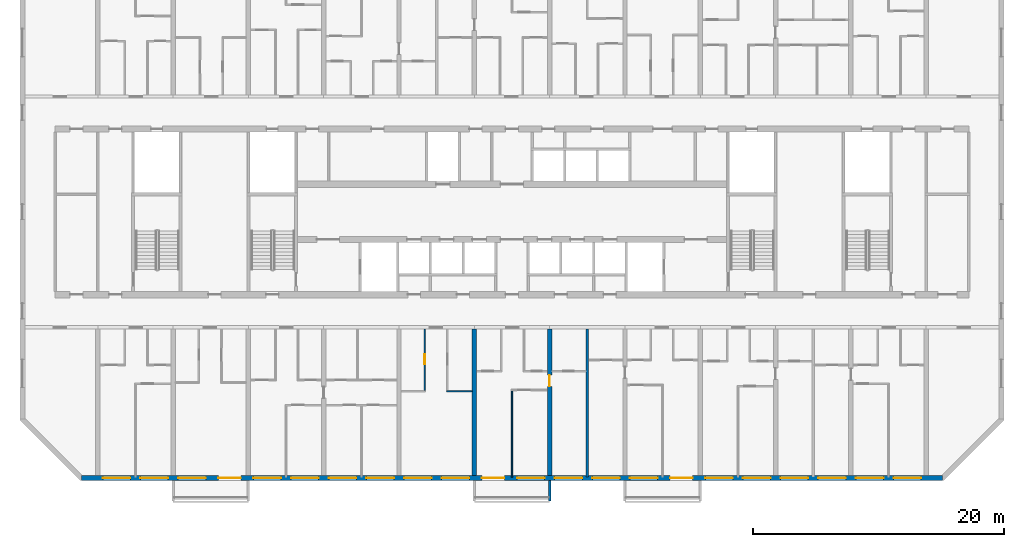
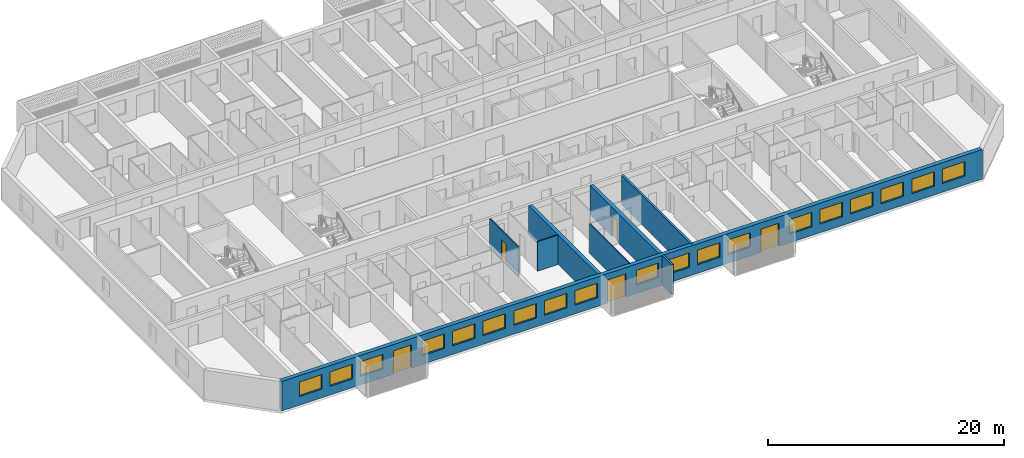
# One storey, part 4 of 24: 19 windows, 8 walls, 5 doors, 24 openings.
"""IFC4 building model written with IfcOpenShell, lengths in metres."""

from ifc_helpers import new_model, si_unit, direction, frame, frame_2d, origin, place, context, subcontext, project, spatial, polyline, rectangle, outline, extrude, source, transform, mapped, material, layer, layer_set, type_object, element, fill, save


model = new_model("IFC4")

# Units and contexts
model_context = context("Model", 3, precision=1e-05, world=origin(), true_north=direction((0.0, 1.0)))
body_context = subcontext(model_context, "Body", "Model", "MODEL_VIEW")
ifc_project = project(units=[si_unit("LENGTHUNIT", "METRE"), si_unit("AREAUNIT", "SQUARE_METRE"), si_unit("VOLUMEUNIT", "CUBIC_METRE"), si_unit("PLANEANGLEUNIT", "RADIAN"), si_unit("MASSUNIT", "GRAM", prefix="KILO")], contexts=[model_context])

# Site, building, storey
site_placement = place(None, origin())
site = spatial("IfcSite", under=ifc_project, at=site_placement, CompositionType="ELEMENT")
building_placement = place(site_placement, origin())
building = spatial("IfcBuilding", under=site, at=building_placement, Name="Poui Terraces", CompositionType="ELEMENT")
storey_placement = place(building_placement, frame((0.0, 0.0, 109.199951171875)))
storey = spatial("IfcBuildingStorey", under=building, at=storey_placement, Name="L30", CompositionType="ELEMENT", Elevation=109.199951171875)

# Wall
ifc_material_1 = material(Name="Concrete 65 MPa", Category="concrete")
ifc_layer_1 = layer(ifc_material_1, 0.35009765625)
ifc_layer_set_1 = layer_set([ifc_layer_1], Name="Concrete 65 MPa")
wall_type_1 = type_object("IfcWallType", Name="CROSS WALL 350 65MPa", PredefinedType="SHEAR", material=ifc_layer_set_1)
wall_1_placement = place(storey_placement, frame((48.0, 0.199951171875, 0.0), z_axis=(0.0, 0.0, 1.0), x_axis=(0.0, 1.0, 0.0)))
element("IfcWall", 1, at=wall_1_placement, inside=storey, type_object=wall_type_1, Name="CROSS WALL LINE 9 SOUTH", PredefinedType="SHEAR", context=body_context, shape_type="SweptSolid", body=[
    extrude(rectangle(XDim=11.675048828125, YDim=0.35009765625, at=frame_2d((5.83740234375, 0.0))), origin(), (0.0, 0.0, 1.0), 3.06005859375),
])

# Wall, opening, door
wall_2_placement = place(storey_placement, frame((54.0, 0.199951171875, 0.0), z_axis=(0.0, 0.0, 1.0), x_axis=(0.0, 1.0, 0.0)))
wall_2 = element("IfcWall", 2, at=wall_2_placement, inside=storey, type_object=wall_type_1, Name="CROSS WALL LINE 10 SOUTH", PredefinedType="SHEAR", context=body_context, shape_type="SweptSolid", body=[
    extrude(rectangle(XDim=11.675048828125, YDim=0.35009765625, at=frame_2d((5.83740234375, 0.0))), origin(), (0.0, 0.0, 1.0), 3.06005859375),
])
opening_1_placement = place(wall_2_placement, frame((7.10009765625, 0.0, 0.0)))
opening_1 = element("IfcOpeningElement", 3, at=opening_1_placement, cuts=wall_2, Name="Opening D90", PredefinedType="OPENING", context=body_context, shape_type="SweptSolid", body=[
    extrude(rectangle(XDim=0.89990234375, YDim=2.10009765625, at=frame_2d((0.449951171875, 1.050048828125))), frame((0.0, 0.18505859375, 0.0), z_axis=(0.0, -1.0, 0.0), x_axis=(1.0, 0.0, 0.0)), (0.0, 0.0, 1.0), 0.3701171875),
])
ifc_material_2 = material(Name="Solid core timber door", Category="wood")
door_type_1 = type_object("IfcDoorType", Name="INTERNAL DOOR 900 X 2100", OperationType="NOTDEFINED", PredefinedType="DOOR", material=ifc_material_2)
door_1_placement = place(opening_1_placement, frame((0.89990234375, 0.0, 0.0), z_axis=(0.0, 0.0, 1.0), x_axis=(-1.0, 0.0, 0.0)))
door_1 = element("IfcDoor", 4, at=door_1_placement, inside=storey, type_object=door_type_1, Name="INTERNAL DOOR 100", OperationType="SINGLE_SWING_LEFT", OverallHeight=2.10009765625, OverallWidth=0.89990234375, PredefinedType="DOOR", context=body_context, shape_type="SweptSolid", body=[
    extrude(rectangle(XDim=0.89990234375, YDim=2.10009765625, at=frame_2d((0.449951171875, 1.050048828125))), frame((0.0, 0.02490234375, 0.0), z_axis=(0.0, -1.0, 0.0), x_axis=(1.0, 0.0, 0.0)), (0.0, 0.0, 1.0), 0.050048828125),
])
fill(opening_1, door_1)

# Wall, openings, doors, windows
ifc_material_3 = material(Name="Precast concrete 40 MPa", Category="concrete")
ifc_layer_2 = layer(ifc_material_3, 0.39990234375)
ifc_layer_set_2 = layer_set([ifc_layer_2], Name="Precast concrete 40 MPa")
wall_type_2 = type_object("IfcWallType", Name="EXTERNAL WALL 400", PredefinedType="STANDARD", material=ifc_layer_set_2)
wall_3_placement = place(storey_placement, frame((16.682861328125, 0.0, 0.0), z_axis=(0.0, 0.0, 1.0), x_axis=(1.0, 0.0, 0.0)))
wall_3 = element("IfcWall", 5, at=wall_3_placement, inside=storey, type_object=wall_type_2, Name="EXTERNAL WALL S", PredefinedType="STANDARD", context=body_context, shape_type="SweptSolid", body=[
    extrude(rectangle(XDim=68.63427734375, YDim=0.39990234375, at=frame_2d((34.317138671875, 0.0))), origin(), (0.0, 0.0, 1.0), 3.06005859375),
])
opening_2_placement = place(wall_3_placement, frame((1.71728515625, 0.0, 0.89990234375)))
opening_2 = element("IfcOpeningElement", 6, at=opening_2_placement, cuts=wall_3, Name="Opening W1", PredefinedType="OPENING", context=body_context, shape_type="SweptSolid", body=[
    extrude(rectangle(XDim=2.199951171875, YDim=1.5, at=frame_2d((1.10009765625, 0.75))), frame((0.0, 0.2099609375, 0.0), z_axis=(0.0, -1.0, 0.0), x_axis=(1.0, 0.0, 0.0)), (0.0, 0.0, 1.0), 0.419921875),
])
opening_3_placement = place(wall_3_placement, frame((4.71728515625, 0.0, 0.89990234375)))
opening_3 = element("IfcOpeningElement", 7, at=opening_3_placement, cuts=wall_3, Name="Opening W1", PredefinedType="OPENING", context=body_context, shape_type="SweptSolid", body=[
    extrude(rectangle(XDim=2.199951171875, YDim=1.5, at=frame_2d((1.10009765625, 0.75))), frame((0.0, 0.2099609375, 0.0), z_axis=(0.0, -1.0, 0.0), x_axis=(1.0, 0.0, 0.0)), (0.0, 0.0, 1.0), 0.419921875),
])
opening_4_placement = place(wall_3_placement, frame((7.71728515625, 0.0, 0.89990234375)))
opening_4 = element("IfcOpeningElement", 8, at=opening_4_placement, cuts=wall_3, Name="Opening W1", PredefinedType="OPENING", context=body_context, shape_type="SweptSolid", body=[
    extrude(rectangle(XDim=2.199951171875, YDim=1.5, at=frame_2d((1.10009765625, 0.75))), frame((0.0, 0.2099609375, 0.0), z_axis=(0.0, -1.0, 0.0), x_axis=(1.0, 0.0, 0.0)), (0.0, 0.0, 1.0), 0.419921875),
])
opening_5_placement = place(wall_3_placement, frame((10.917236328125, 0.0, 0.0)))
opening_5 = element("IfcOpeningElement", 9, at=opening_5_placement, cuts=wall_3, Name="Opening BD1", PredefinedType="OPENING", context=body_context, shape_type="SweptSolid", body=[
    extrude(rectangle(XDim=1.800048828125, YDim=2.39990234375, at=frame_2d((0.89990234375, 1.199951171875))), frame((0.0, 0.2099609375, 0.0), z_axis=(0.0, -1.0, 0.0), x_axis=(1.0, 0.0, 0.0)), (0.0, 0.0, 1.0), 0.419921875),
])
opening_6_placement = place(wall_3_placement, frame((13.71728515625, 0.0, 0.89990234375)))
opening_6 = element("IfcOpeningElement", 10, at=opening_6_placement, cuts=wall_3, Name="Opening W1", PredefinedType="OPENING", context=body_context, shape_type="SweptSolid", body=[
    extrude(rectangle(XDim=2.199951171875, YDim=1.5, at=frame_2d((1.10009765625, 0.75))), frame((0.0, 0.2099609375, 0.0), z_axis=(0.0, -1.0, 0.0), x_axis=(1.0, 0.0, 0.0)), (0.0, 0.0, 1.0), 0.419921875),
])
opening_7_placement = place(wall_3_placement, frame((16.71728515625, 0.0, 0.89990234375)))
opening_7 = element("IfcOpeningElement", 11, at=opening_7_placement, cuts=wall_3, Name="Opening W1", PredefinedType="OPENING", context=body_context, shape_type="SweptSolid", body=[
    extrude(rectangle(XDim=2.199951171875, YDim=1.5, at=frame_2d((1.10009765625, 0.75))), frame((0.0, 0.2099609375, 0.0), z_axis=(0.0, -1.0, 0.0), x_axis=(1.0, 0.0, 0.0)), (0.0, 0.0, 1.0), 0.419921875),
])
opening_8_placement = place(wall_3_placement, frame((19.71728515625, 0.0, 0.89990234375)))
opening_8 = element("IfcOpeningElement", 12, at=opening_8_placement, cuts=wall_3, Name="Opening W1", PredefinedType="OPENING", context=body_context, shape_type="SweptSolid", body=[
    extrude(rectangle(XDim=2.199951171875, YDim=1.5, at=frame_2d((1.10009765625, 0.75))), frame((0.0, 0.2099609375, 0.0), z_axis=(0.0, -1.0, 0.0), x_axis=(1.0, 0.0, 0.0)), (0.0, 0.0, 1.0), 0.419921875),
])
opening_9_placement = place(wall_3_placement, frame((22.71728515625, 0.0, 0.89990234375)))
opening_9 = element("IfcOpeningElement", 13, at=opening_9_placement, cuts=wall_3, Name="Opening W1", PredefinedType="OPENING", context=body_context, shape_type="SweptSolid", body=[
    extrude(rectangle(XDim=2.199951171875, YDim=1.5, at=frame_2d((1.10009765625, 0.75))), frame((0.0, 0.2099609375, 0.0), z_axis=(0.0, -1.0, 0.0), x_axis=(1.0, 0.0, 0.0)), (0.0, 0.0, 1.0), 0.419921875),
])
opening_10_placement = place(wall_3_placement, frame((25.71728515625, 0.0, 0.89990234375)))
opening_10 = element("IfcOpeningElement", 14, at=opening_10_placement, cuts=wall_3, Name="Opening W1", PredefinedType="OPENING", context=body_context, shape_type="SweptSolid", body=[
    extrude(rectangle(XDim=2.199951171875, YDim=1.5, at=frame_2d((1.10009765625, 0.75))), frame((0.0, 0.2099609375, 0.0), z_axis=(0.0, -1.0, 0.0), x_axis=(1.0, 0.0, 0.0)), (0.0, 0.0, 1.0), 0.419921875),
])
opening_11_placement = place(wall_3_placement, frame((28.71728515625, 0.0, 0.89990234375)))
opening_11 = element("IfcOpeningElement", 15, at=opening_11_placement, cuts=wall_3, Name="Opening W1", PredefinedType="OPENING", context=body_context, shape_type="SweptSolid", body=[
    extrude(rectangle(XDim=2.199951171875, YDim=1.5, at=frame_2d((1.10009765625, 0.75))), frame((0.0, 0.2099609375, 0.0), z_axis=(0.0, -1.0, 0.0), x_axis=(1.0, 0.0, 0.0)), (0.0, 0.0, 1.0), 0.419921875),
])
opening_12_placement = place(wall_3_placement, frame((31.917236328125, 0.0, 0.0)))
opening_12 = element("IfcOpeningElement", 16, at=opening_12_placement, cuts=wall_3, Name="Opening BD1", PredefinedType="OPENING", context=body_context, shape_type="SweptSolid", body=[
    extrude(rectangle(XDim=1.800048828125, YDim=2.39990234375, at=frame_2d((0.89990234375, 1.199951171875))), frame((0.0, 0.2099609375, 0.0), z_axis=(0.0, -1.0, 0.0), x_axis=(1.0, 0.0, 0.0)), (0.0, 0.0, 1.0), 0.419921875),
])
opening_13_placement = place(wall_3_placement, frame((34.71728515625, 0.0, 0.89990234375)))
opening_13 = element("IfcOpeningElement", 17, at=opening_13_placement, cuts=wall_3, Name="Opening W1", PredefinedType="OPENING", context=body_context, shape_type="SweptSolid", body=[
    extrude(rectangle(XDim=2.199951171875, YDim=1.5, at=frame_2d((1.10009765625, 0.75))), frame((0.0, 0.2099609375, 0.0), z_axis=(0.0, -1.0, 0.0), x_axis=(1.0, 0.0, 0.0)), (0.0, 0.0, 1.0), 0.419921875),
])
opening_14_placement = place(wall_3_placement, frame((37.71728515625, 0.0, 0.89990234375)))
opening_14 = element("IfcOpeningElement", 18, at=opening_14_placement, cuts=wall_3, Name="Opening W1", PredefinedType="OPENING", context=body_context, shape_type="SweptSolid", body=[
    extrude(rectangle(XDim=2.199951171875, YDim=1.5, at=frame_2d((1.10009765625, 0.75))), frame((0.0, 0.2099609375, 0.0), z_axis=(0.0, -1.0, 0.0), x_axis=(1.0, 0.0, 0.0)), (0.0, 0.0, 1.0), 0.419921875),
])
opening_15_placement = place(wall_3_placement, frame((40.71728515625, 0.0, 0.89990234375)))
opening_15 = element("IfcOpeningElement", 19, at=opening_15_placement, cuts=wall_3, Name="Opening W1", PredefinedType="OPENING", context=body_context, shape_type="SweptSolid", body=[
    extrude(rectangle(XDim=2.199951171875, YDim=1.5, at=frame_2d((1.10009765625, 0.75))), frame((0.0, 0.2099609375, 0.0), z_axis=(0.0, -1.0, 0.0), x_axis=(1.0, 0.0, 0.0)), (0.0, 0.0, 1.0), 0.419921875),
])
opening_16_placement = place(wall_3_placement, frame((43.71728515625, 0.0, 0.89990234375)))
opening_16 = element("IfcOpeningElement", 20, at=opening_16_placement, cuts=wall_3, Name="Opening W1", PredefinedType="OPENING", context=body_context, shape_type="SweptSolid", body=[
    extrude(rectangle(XDim=2.199951171875, YDim=1.5, at=frame_2d((1.10009765625, 0.75))), frame((0.0, 0.2099609375, 0.0), z_axis=(0.0, -1.0, 0.0), x_axis=(1.0, 0.0, 0.0)), (0.0, 0.0, 1.0), 0.419921875),
])
opening_17_placement = place(wall_3_placement, frame((46.917236328125, 0.0, 0.0)))
opening_17 = element("IfcOpeningElement", 21, at=opening_17_placement, cuts=wall_3, Name="Opening BD1", PredefinedType="OPENING", context=body_context, shape_type="SweptSolid", body=[
    extrude(rectangle(XDim=1.800048828125, YDim=2.39990234375, at=frame_2d((0.89990234375, 1.199951171875))), frame((0.0, 0.2099609375, 0.0), z_axis=(0.0, -1.0, 0.0), x_axis=(1.0, 0.0, 0.0)), (0.0, 0.0, 1.0), 0.419921875),
])
opening_18_placement = place(wall_3_placement, frame((49.71728515625, 0.0, 0.89990234375)))
opening_18 = element("IfcOpeningElement", 22, at=opening_18_placement, cuts=wall_3, Name="Opening W1", PredefinedType="OPENING", context=body_context, shape_type="SweptSolid", body=[
    extrude(rectangle(XDim=2.199951171875, YDim=1.5, at=frame_2d((1.10009765625, 0.75))), frame((0.0, 0.2099609375, 0.0), z_axis=(0.0, -1.0, 0.0), x_axis=(1.0, 0.0, 0.0)), (0.0, 0.0, 1.0), 0.419921875),
])
opening_19_placement = place(wall_3_placement, frame((52.71728515625, 0.0, 0.89990234375)))
opening_19 = element("IfcOpeningElement", 23, at=opening_19_placement, cuts=wall_3, Name="Opening W1", PredefinedType="OPENING", context=body_context, shape_type="SweptSolid", body=[
    extrude(rectangle(XDim=2.199951171875, YDim=1.5, at=frame_2d((1.10009765625, 0.75))), frame((0.0, 0.2099609375, 0.0), z_axis=(0.0, -1.0, 0.0), x_axis=(1.0, 0.0, 0.0)), (0.0, 0.0, 1.0), 0.419921875),
])
opening_20_placement = place(wall_3_placement, frame((55.71728515625, 0.0, 0.89990234375)))
opening_20 = element("IfcOpeningElement", 24, at=opening_20_placement, cuts=wall_3, Name="Opening W1", PredefinedType="OPENING", context=body_context, shape_type="SweptSolid", body=[
    extrude(rectangle(XDim=2.199951171875, YDim=1.5, at=frame_2d((1.10009765625, 0.75))), frame((0.0, 0.2099609375, 0.0), z_axis=(0.0, -1.0, 0.0), x_axis=(1.0, 0.0, 0.0)), (0.0, 0.0, 1.0), 0.419921875),
])
opening_21_placement = place(wall_3_placement, frame((58.71728515625, 0.0, 0.89990234375)))
opening_21 = element("IfcOpeningElement", 25, at=opening_21_placement, cuts=wall_3, Name="Opening W1", PredefinedType="OPENING", context=body_context, shape_type="SweptSolid", body=[
    extrude(rectangle(XDim=2.199951171875, YDim=1.5, at=frame_2d((1.10009765625, 0.75))), frame((0.0, 0.2099609375, 0.0), z_axis=(0.0, -1.0, 0.0), x_axis=(1.0, 0.0, 0.0)), (0.0, 0.0, 1.0), 0.419921875),
])
opening_22_placement = place(wall_3_placement, frame((61.71728515625, 0.0, 0.89990234375)))
opening_22 = element("IfcOpeningElement", 26, at=opening_22_placement, cuts=wall_3, Name="Opening W1", PredefinedType="OPENING", context=body_context, shape_type="SweptSolid", body=[
    extrude(rectangle(XDim=2.199951171875, YDim=1.5, at=frame_2d((1.10009765625, 0.75))), frame((0.0, 0.2099609375, 0.0), z_axis=(0.0, -1.0, 0.0), x_axis=(1.0, 0.0, 0.0)), (0.0, 0.0, 1.0), 0.419921875),
])
opening_23_placement = place(wall_3_placement, frame((64.71728515625, 0.0, 0.89990234375)))
opening_23 = element("IfcOpeningElement", 27, at=opening_23_placement, cuts=wall_3, Name="Opening W1", PredefinedType="OPENING", context=body_context, shape_type="SweptSolid", body=[
    extrude(rectangle(XDim=2.199951171875, YDim=1.5, at=frame_2d((1.10009765625, 0.75))), frame((0.0, 0.2099609375, 0.0), z_axis=(0.0, -1.0, 0.0), x_axis=(1.0, 0.0, 0.0)), (0.0, 0.0, 1.0), 0.419921875),
])
ifc_material_4 = material(Name="Clear glass in aluminium frame", Category="aluminium")
door_type_2 = type_object("IfcDoorType", Name="BALCONY DOOR 1800X2400", OperationType="DOUBLE_DOOR_SLIDING", PredefinedType="DOOR", material=ifc_material_4)
door_2_placement = place(opening_5_placement, origin())
door_2 = element("IfcDoor", 28, at=door_2_placement, inside=storey, type_object=door_type_2, Name="BD1 BALCONY DOOR", OperationType="DOUBLE_DOOR_SLIDING", OverallHeight=2.39990234375, OverallWidth=1.800048828125, PredefinedType="DOOR", context=body_context, shape_type="SweptSolid", body=[
    extrude(rectangle(XDim=1.800048828125, YDim=2.39990234375, at=frame_2d((0.89990234375, 1.199951171875))), frame((0.0, 0.02490234375, 0.0), z_axis=(0.0, -1.0, 0.0), x_axis=(1.0, 0.0, 0.0)), (0.0, 0.0, 1.0), 0.050048828125),
])
fill(opening_5, door_2)
door_3_placement = place(opening_12_placement, origin())
door_3 = element("IfcDoor", 29, at=door_3_placement, inside=storey, type_object=door_type_2, Name="BD1 BALCONY DOOR", OperationType="DOUBLE_DOOR_SLIDING", OverallHeight=2.39990234375, OverallWidth=1.800048828125, PredefinedType="DOOR", context=body_context, shape_type="SweptSolid", body=[
    extrude(rectangle(XDim=1.800048828125, YDim=2.39990234375, at=frame_2d((0.89990234375, 1.199951171875))), frame((0.0, 0.02490234375, 0.0), z_axis=(0.0, -1.0, 0.0), x_axis=(1.0, 0.0, 0.0)), (0.0, 0.0, 1.0), 0.050048828125),
])
fill(opening_12, door_3)
door_4_placement = place(opening_17_placement, origin())
door_4 = element("IfcDoor", 30, at=door_4_placement, inside=storey, type_object=door_type_2, Name="BD1 BALCONY DOOR", OperationType="DOUBLE_DOOR_SLIDING", OverallHeight=2.39990234375, OverallWidth=1.800048828125, PredefinedType="DOOR", context=body_context, shape_type="SweptSolid", body=[
    extrude(rectangle(XDim=1.800048828125, YDim=2.39990234375, at=frame_2d((0.89990234375, 1.199951171875))), frame((0.0, 0.02490234375, 0.0), z_axis=(0.0, -1.0, 0.0), x_axis=(1.0, 0.0, 0.0)), (0.0, 0.0, 1.0), 0.050048828125),
])
fill(opening_17, door_4)
window_type = type_object("IfcWindowType", Name="WINDOW 2200X1500", PartitioningType="DOUBLE_PANEL_HORIZONTAL", PredefinedType="WINDOW", material=ifc_material_4)
window_1_placement = place(opening_2_placement, origin())
window_1 = element("IfcWindow", 31, at=window_1_placement, inside=storey, type_object=window_type, Name="W1 WINDOW", OverallHeight=1.5, OverallWidth=2.199951171875, PartitioningType="DOUBLE_PANEL_HORIZONTAL", PredefinedType="WINDOW", context=body_context, shape_type="SweptSolid", body=[
    extrude(rectangle(XDim=2.199951171875, YDim=1.5, at=frame_2d((1.10009765625, 0.75))), frame((0.0, 0.030029296875, 0.0), z_axis=(0.0, -1.0, 0.0), x_axis=(1.0, 0.0, 0.0)), (0.0, 0.0, 1.0), 0.06005859375),
])
fill(opening_2, window_1)
window_2_placement = place(opening_3_placement, origin())
window_2 = element("IfcWindow", 32, at=window_2_placement, inside=storey, type_object=window_type, Name="W1 WINDOW", OverallHeight=1.5, OverallWidth=2.199951171875, PartitioningType="DOUBLE_PANEL_HORIZONTAL", PredefinedType="WINDOW", context=body_context, shape_type="SweptSolid", body=[
    extrude(rectangle(XDim=2.199951171875, YDim=1.5, at=frame_2d((1.10009765625, 0.75))), frame((0.0, 0.030029296875, 0.0), z_axis=(0.0, -1.0, 0.0), x_axis=(1.0, 0.0, 0.0)), (0.0, 0.0, 1.0), 0.06005859375),
])
fill(opening_3, window_2)
window_3_placement = place(opening_4_placement, origin())
window_3 = element("IfcWindow", 33, at=window_3_placement, inside=storey, type_object=window_type, Name="W1 WINDOW", OverallHeight=1.5, OverallWidth=2.199951171875, PartitioningType="DOUBLE_PANEL_HORIZONTAL", PredefinedType="WINDOW", context=body_context, shape_type="SweptSolid", body=[
    extrude(rectangle(XDim=2.199951171875, YDim=1.5, at=frame_2d((1.10009765625, 0.75))), frame((0.0, 0.030029296875, 0.0), z_axis=(0.0, -1.0, 0.0), x_axis=(1.0, 0.0, 0.0)), (0.0, 0.0, 1.0), 0.06005859375),
])
fill(opening_4, window_3)
window_4_placement = place(opening_6_placement, origin())
window_4 = element("IfcWindow", 34, at=window_4_placement, inside=storey, type_object=window_type, Name="W1 WINDOW", OverallHeight=1.5, OverallWidth=2.199951171875, PartitioningType="DOUBLE_PANEL_HORIZONTAL", PredefinedType="WINDOW", context=body_context, shape_type="SweptSolid", body=[
    extrude(rectangle(XDim=2.199951171875, YDim=1.5, at=frame_2d((1.10009765625, 0.75))), frame((0.0, 0.030029296875, 0.0), z_axis=(0.0, -1.0, 0.0), x_axis=(1.0, 0.0, 0.0)), (0.0, 0.0, 1.0), 0.06005859375),
])
fill(opening_6, window_4)
window_5_placement = place(opening_7_placement, origin())
window_5 = element("IfcWindow", 35, at=window_5_placement, inside=storey, type_object=window_type, Name="W1 WINDOW", OverallHeight=1.5, OverallWidth=2.199951171875, PartitioningType="DOUBLE_PANEL_HORIZONTAL", PredefinedType="WINDOW", context=body_context, shape_type="SweptSolid", body=[
    extrude(rectangle(XDim=2.199951171875, YDim=1.5, at=frame_2d((1.10009765625, 0.75))), frame((0.0, 0.030029296875, 0.0), z_axis=(0.0, -1.0, 0.0), x_axis=(1.0, 0.0, 0.0)), (0.0, 0.0, 1.0), 0.06005859375),
])
fill(opening_7, window_5)
window_6_placement = place(opening_8_placement, origin())
window_6 = element("IfcWindow", 36, at=window_6_placement, inside=storey, type_object=window_type, Name="W1 WINDOW", OverallHeight=1.5, OverallWidth=2.199951171875, PartitioningType="DOUBLE_PANEL_HORIZONTAL", PredefinedType="WINDOW", context=body_context, shape_type="SweptSolid", body=[
    extrude(rectangle(XDim=2.199951171875, YDim=1.5, at=frame_2d((1.10009765625, 0.75))), frame((0.0, 0.030029296875, 0.0), z_axis=(0.0, -1.0, 0.0), x_axis=(1.0, 0.0, 0.0)), (0.0, 0.0, 1.0), 0.06005859375),
])
fill(opening_8, window_6)
window_7_placement = place(opening_9_placement, origin())
window_7 = element("IfcWindow", 37, at=window_7_placement, inside=storey, type_object=window_type, Name="W1 WINDOW", OverallHeight=1.5, OverallWidth=2.199951171875, PartitioningType="DOUBLE_PANEL_HORIZONTAL", PredefinedType="WINDOW", context=body_context, shape_type="SweptSolid", body=[
    extrude(rectangle(XDim=2.199951171875, YDim=1.5, at=frame_2d((1.10009765625, 0.75))), frame((0.0, 0.030029296875, 0.0), z_axis=(0.0, -1.0, 0.0), x_axis=(1.0, 0.0, 0.0)), (0.0, 0.0, 1.0), 0.06005859375),
])
fill(opening_9, window_7)
window_8_placement = place(opening_10_placement, origin())
window_8 = element("IfcWindow", 38, at=window_8_placement, inside=storey, type_object=window_type, Name="W1 WINDOW", OverallHeight=1.5, OverallWidth=2.199951171875, PartitioningType="DOUBLE_PANEL_HORIZONTAL", PredefinedType="WINDOW", context=body_context, shape_type="SweptSolid", body=[
    extrude(rectangle(XDim=2.199951171875, YDim=1.5, at=frame_2d((1.10009765625, 0.75))), frame((0.0, 0.030029296875, 0.0), z_axis=(0.0, -1.0, 0.0), x_axis=(1.0, 0.0, 0.0)), (0.0, 0.0, 1.0), 0.06005859375),
])
fill(opening_10, window_8)
window_9_placement = place(opening_11_placement, origin())
window_9 = element("IfcWindow", 39, at=window_9_placement, inside=storey, type_object=window_type, Name="W1 WINDOW", OverallHeight=1.5, OverallWidth=2.199951171875, PartitioningType="DOUBLE_PANEL_HORIZONTAL", PredefinedType="WINDOW", context=body_context, shape_type="SweptSolid", body=[
    extrude(rectangle(XDim=2.199951171875, YDim=1.5, at=frame_2d((1.10009765625, 0.75))), frame((0.0, 0.030029296875, 0.0), z_axis=(0.0, -1.0, 0.0), x_axis=(1.0, 0.0, 0.0)), (0.0, 0.0, 1.0), 0.06005859375),
])
fill(opening_11, window_9)
window_10_placement = place(opening_13_placement, origin())
window_10 = element("IfcWindow", 40, at=window_10_placement, inside=storey, type_object=window_type, Name="W1 WINDOW", OverallHeight=1.5, OverallWidth=2.199951171875, PartitioningType="DOUBLE_PANEL_HORIZONTAL", PredefinedType="WINDOW", context=body_context, shape_type="SweptSolid", body=[
    extrude(rectangle(XDim=2.199951171875, YDim=1.5, at=frame_2d((1.10009765625, 0.75))), frame((0.0, 0.030029296875, 0.0), z_axis=(0.0, -1.0, 0.0), x_axis=(1.0, 0.0, 0.0)), (0.0, 0.0, 1.0), 0.06005859375),
])
fill(opening_13, window_10)
window_11_placement = place(opening_14_placement, origin())
window_11 = element("IfcWindow", 41, at=window_11_placement, inside=storey, type_object=window_type, Name="W1 WINDOW", OverallHeight=1.5, OverallWidth=2.199951171875, PartitioningType="DOUBLE_PANEL_HORIZONTAL", PredefinedType="WINDOW", context=body_context, shape_type="SweptSolid", body=[
    extrude(rectangle(XDim=2.199951171875, YDim=1.5, at=frame_2d((1.10009765625, 0.75))), frame((0.0, 0.030029296875, 0.0), z_axis=(0.0, -1.0, 0.0), x_axis=(1.0, 0.0, 0.0)), (0.0, 0.0, 1.0), 0.06005859375),
])
fill(opening_14, window_11)
window_12_placement = place(opening_15_placement, origin())
window_12 = element("IfcWindow", 42, at=window_12_placement, inside=storey, type_object=window_type, Name="W1 WINDOW", OverallHeight=1.5, OverallWidth=2.199951171875, PartitioningType="DOUBLE_PANEL_HORIZONTAL", PredefinedType="WINDOW", context=body_context, shape_type="SweptSolid", body=[
    extrude(rectangle(XDim=2.199951171875, YDim=1.5, at=frame_2d((1.10009765625, 0.75))), frame((0.0, 0.030029296875, 0.0), z_axis=(0.0, -1.0, 0.0), x_axis=(1.0, 0.0, 0.0)), (0.0, 0.0, 1.0), 0.06005859375),
])
fill(opening_15, window_12)
window_13_placement = place(opening_16_placement, origin())
window_13 = element("IfcWindow", 43, at=window_13_placement, inside=storey, type_object=window_type, Name="W1 WINDOW", OverallHeight=1.5, OverallWidth=2.199951171875, PartitioningType="DOUBLE_PANEL_HORIZONTAL", PredefinedType="WINDOW", context=body_context, shape_type="SweptSolid", body=[
    extrude(rectangle(XDim=2.199951171875, YDim=1.5, at=frame_2d((1.10009765625, 0.75))), frame((0.0, 0.030029296875, 0.0), z_axis=(0.0, -1.0, 0.0), x_axis=(1.0, 0.0, 0.0)), (0.0, 0.0, 1.0), 0.06005859375),
])
fill(opening_16, window_13)
window_14_placement = place(opening_18_placement, origin())
window_14 = element("IfcWindow", 44, at=window_14_placement, inside=storey, type_object=window_type, Name="W1 WINDOW", OverallHeight=1.5, OverallWidth=2.199951171875, PartitioningType="DOUBLE_PANEL_HORIZONTAL", PredefinedType="WINDOW", context=body_context, shape_type="SweptSolid", body=[
    extrude(rectangle(XDim=2.199951171875, YDim=1.5, at=frame_2d((1.10009765625, 0.75))), frame((0.0, 0.030029296875, 0.0), z_axis=(0.0, -1.0, 0.0), x_axis=(1.0, 0.0, 0.0)), (0.0, 0.0, 1.0), 0.06005859375),
])
fill(opening_18, window_14)
window_15_placement = place(opening_19_placement, origin())
window_15 = element("IfcWindow", 45, at=window_15_placement, inside=storey, type_object=window_type, Name="W1 WINDOW", OverallHeight=1.5, OverallWidth=2.199951171875, PartitioningType="DOUBLE_PANEL_HORIZONTAL", PredefinedType="WINDOW", context=body_context, shape_type="SweptSolid", body=[
    extrude(rectangle(XDim=2.199951171875, YDim=1.5, at=frame_2d((1.10009765625, 0.75))), frame((0.0, 0.030029296875, 0.0), z_axis=(0.0, -1.0, 0.0), x_axis=(1.0, 0.0, 0.0)), (0.0, 0.0, 1.0), 0.06005859375),
])
fill(opening_19, window_15)
window_16_placement = place(opening_20_placement, origin())
window_16 = element("IfcWindow", 46, at=window_16_placement, inside=storey, type_object=window_type, Name="W1 WINDOW", OverallHeight=1.5, OverallWidth=2.199951171875, PartitioningType="DOUBLE_PANEL_HORIZONTAL", PredefinedType="WINDOW", context=body_context, shape_type="SweptSolid", body=[
    extrude(rectangle(XDim=2.199951171875, YDim=1.5, at=frame_2d((1.10009765625, 0.75))), frame((0.0, 0.030029296875, 0.0), z_axis=(0.0, -1.0, 0.0), x_axis=(1.0, 0.0, 0.0)), (0.0, 0.0, 1.0), 0.06005859375),
])
fill(opening_20, window_16)
window_17_placement = place(opening_21_placement, origin())
window_17 = element("IfcWindow", 47, at=window_17_placement, inside=storey, type_object=window_type, Name="W1 WINDOW", OverallHeight=1.5, OverallWidth=2.199951171875, PartitioningType="DOUBLE_PANEL_HORIZONTAL", PredefinedType="WINDOW", context=body_context, shape_type="SweptSolid", body=[
    extrude(rectangle(XDim=2.199951171875, YDim=1.5, at=frame_2d((1.10009765625, 0.75))), frame((0.0, 0.030029296875, 0.0), z_axis=(0.0, -1.0, 0.0), x_axis=(1.0, 0.0, 0.0)), (0.0, 0.0, 1.0), 0.06005859375),
])
fill(opening_21, window_17)
window_18_placement = place(opening_22_placement, origin())
window_18 = element("IfcWindow", 48, at=window_18_placement, inside=storey, type_object=window_type, Name="W1 WINDOW", OverallHeight=1.5, OverallWidth=2.199951171875, PartitioningType="DOUBLE_PANEL_HORIZONTAL", PredefinedType="WINDOW", context=body_context, shape_type="SweptSolid", body=[
    extrude(rectangle(XDim=2.199951171875, YDim=1.5, at=frame_2d((1.10009765625, 0.75))), frame((0.0, 0.030029296875, 0.0), z_axis=(0.0, -1.0, 0.0), x_axis=(1.0, 0.0, 0.0)), (0.0, 0.0, 1.0), 0.06005859375),
])
fill(opening_22, window_18)
window_19_placement = place(opening_23_placement, origin())
window_19 = element("IfcWindow", 49, at=window_19_placement, inside=storey, type_object=window_type, Name="W1 WINDOW", OverallHeight=1.5, OverallWidth=2.199951171875, PartitioningType="DOUBLE_PANEL_HORIZONTAL", PredefinedType="WINDOW", context=body_context, shape_type="SweptSolid", body=[
    extrude(rectangle(XDim=2.199951171875, YDim=1.5, at=frame_2d((1.10009765625, 0.75))), frame((0.0, 0.030029296875, 0.0), z_axis=(0.0, -1.0, 0.0), x_axis=(1.0, 0.0, 0.0)), (0.0, 0.0, 1.0), 0.06005859375),
])
fill(opening_23, window_19)

# Wall
ifc_material_5 = material(Name="Plasterboard partition")
ifc_layer_3 = layer(ifc_material_5, 0.10009765625)
ifc_layer_set_3 = layer_set([ifc_layer_3], Name="Plasterboard partition")
wall_type_3 = type_object("IfcWallType", Name="FLAT PARTITION 100", PredefinedType="PARTITIONING", material=ifc_layer_set_3)
wall_4_placement = place(storey_placement, frame((45.800048828125, 6.89990234375, 0.0), z_axis=(0.0, 0.0, 1.0), x_axis=(1.0, 0.0, 0.0)))
element("IfcWall", 50, at=wall_4_placement, inside=storey, type_object=wall_type_3, Name="FLAT PARTITION 100", PredefinedType="PARTITIONING", context=body_context, shape_type="SweptSolid", body=[
    extrude(rectangle(XDim=2.014892578125, YDim=0.10009765625, at=frame_2d((1.00732421875, 0.0))), origin(), (0.0, 0.0, 1.0), 3.06005859375),
])

# Wall, opening, door
wall_5_placement = place(storey_placement, frame((44.050048828125, 6.949951171875, 0.0), z_axis=(0.0, 0.0, 1.0), x_axis=(0.0, 1.0, 0.0)))
wall_5 = element("IfcWall", 51, at=wall_5_placement, inside=storey, type_object=wall_type_3, Name="FLAT PARTITION 100", PredefinedType="PARTITIONING", context=body_context, shape_type="SweptSolid", body=[
    extrude(rectangle(XDim=4.9150390625, YDim=0.10009765625, at=frame_2d((2.45751953125, 0.0))), origin(), (0.0, 0.0, 1.0), 3.06005859375),
])
opening_24_placement = place(wall_5_placement, frame((2.10009765625, 0.0, 0.0)))
opening_24 = element("IfcOpeningElement", 52, at=opening_24_placement, cuts=wall_5, Name="Opening D80", PredefinedType="OPENING", context=body_context, shape_type="SweptSolid", body=[
    extrude(rectangle(XDim=0.800048828125, YDim=2.10009765625, at=frame_2d((0.39990234375, 1.050048828125))), frame((0.0, 0.06005859375, 0.0), z_axis=(0.0, -1.0, 0.0), x_axis=(1.0, 0.0, 0.0)), (0.0, 0.0, 1.0), 0.1201171875),
])
door_type_3 = type_object("IfcDoorType", Name="BATHROOM, LAUNDRY AND STORE DOOR 800 X 2100", OperationType="NOTDEFINED", PredefinedType="DOOR", material=ifc_material_2)
door_5_placement = place(opening_24_placement, origin())
door_5 = element("IfcDoor", 53, at=door_5_placement, inside=storey, type_object=door_type_3, Name="BATHROOM, LAUNDRY AND STORE DOOR 092", OperationType="SINGLE_SWING_RIGHT", OverallHeight=2.10009765625, OverallWidth=0.800048828125, PredefinedType="DOOR", context=body_context, shape_type="SweptSolid", body=[
    extrude(rectangle(XDim=0.800048828125, YDim=2.10009765625, at=frame_2d((0.39990234375, 1.050048828125))), frame((0.0, 0.02490234375, 0.0), z_axis=(0.0, -1.0, 0.0), x_axis=(1.0, 0.0, 0.0)), (0.0, 0.0, 1.0), 0.050048828125),
])
fill(opening_24, door_5)

# Walls
wall_6_placement = place(storey_placement, frame((51.0, 0.06005859375, 0.0), z_axis=(0.0, 0.0, 1.0), x_axis=(0.0, 1.0, 0.0)))
element("IfcWall", 54, at=wall_6_placement, inside=storey, type_object=wall_type_3, Name="FLAT PARTITION 100", PredefinedType="PARTITIONING", context=body_context, shape_type="SweptSolid", body=[
    extrude(rectangle(XDim=6.889892578125, YDim=0.10009765625, at=frame_2d((3.44482421875, 0.0))), origin(), (0.0, 0.0, 1.0), 3.06005859375),
])
ifc_material_6 = material(Name="Fire-rated masonry wall", Category="masonry")
ifc_layer_4 = layer(ifc_material_6, 0.199951171875)
ifc_layer_set_4 = layer_set([ifc_layer_4], Name="Fire-rated masonry wall")
wall_type_4 = type_object("IfcWallType", Name="FLAT PARTY WALL 200", PredefinedType="PARTITIONING", material=ifc_layer_set_4)
wall_7_placement = place(storey_placement, frame((57.0, 0.06005859375, 0.0), z_axis=(0.0, 0.0, 1.0), x_axis=(0.0, 1.0, 0.0)))
element("IfcWall", 55, at=wall_7_placement, inside=storey, type_object=wall_type_4, Name="FLAT PARTY WALL 200", PredefinedType="PARTITIONING", context=body_context, shape_type="SweptSolid", body=[
    extrude(rectangle(XDim=11.804931640625, YDim=0.199951171875, at=frame_2d((5.90234375, 0.0))), origin(), (0.0, 0.0, 1.0), 3.06005859375),
])
ifc_layer_5 = layer(ifc_material_3, 0.199951171875)
ifc_layer_set_5 = layer_set([ifc_layer_5], Name="Precast concrete 40 MPa")
wall_type_5 = type_object("IfcWallType", Name="REAR FIN 200", PredefinedType="STANDARD", material=ifc_layer_set_5)
shared_shape = source(origin(), body_context, "Body", "SweptSolid", [
    extrude(outline(polyline([(0.0, 0.0), (0.2001953125, 0.0), (0.2001953125, 1.650146484375), (0.0, 1.650146484375), (0.0, 0.0)])), origin(), (0.0, 0.0, 1.0), 3.10009765625),
])
wall_8_placement = place(storey_placement, frame((53.89990234375, -1.85009765625, 0.0)))
element("IfcWall", 56, at=wall_8_placement, inside=storey, type_object=wall_type_5, Name="REAR FIN", PredefinedType="STANDARD", context=body_context, shape_type="MappedRepresentation", body=[
    mapped(shared_shape, transform((0.0, 0.0, 0.0))),
])

save(model, "model.ifc")
